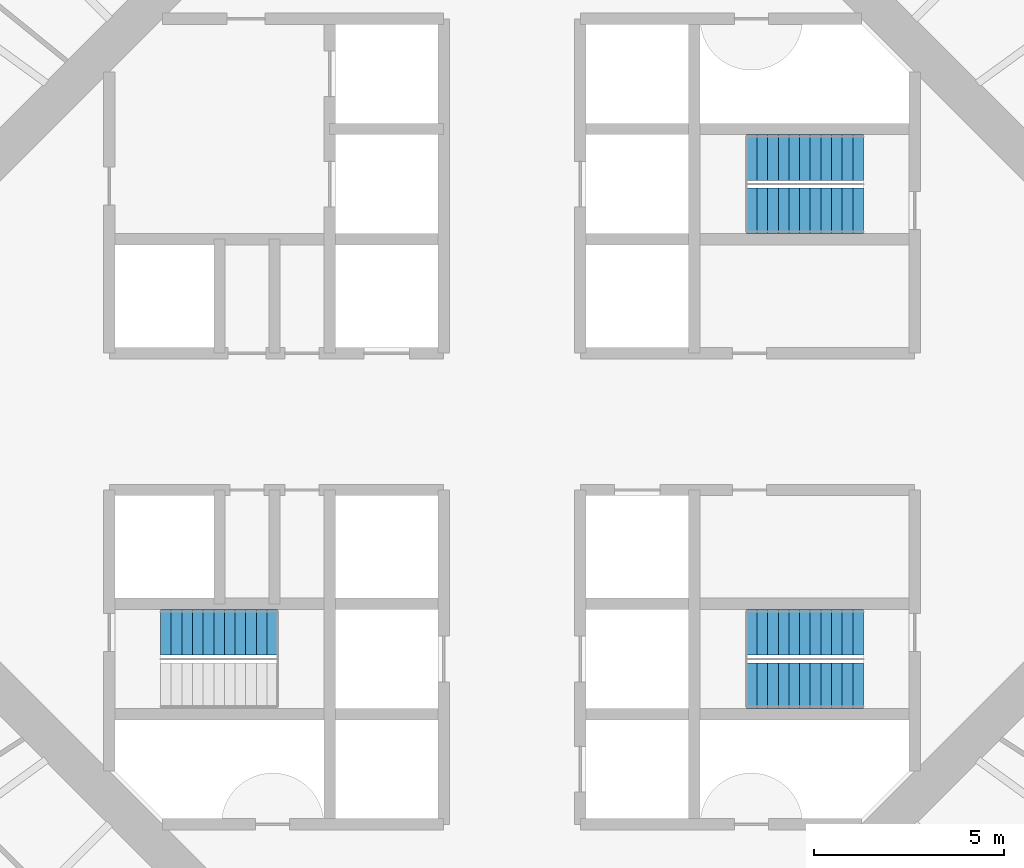
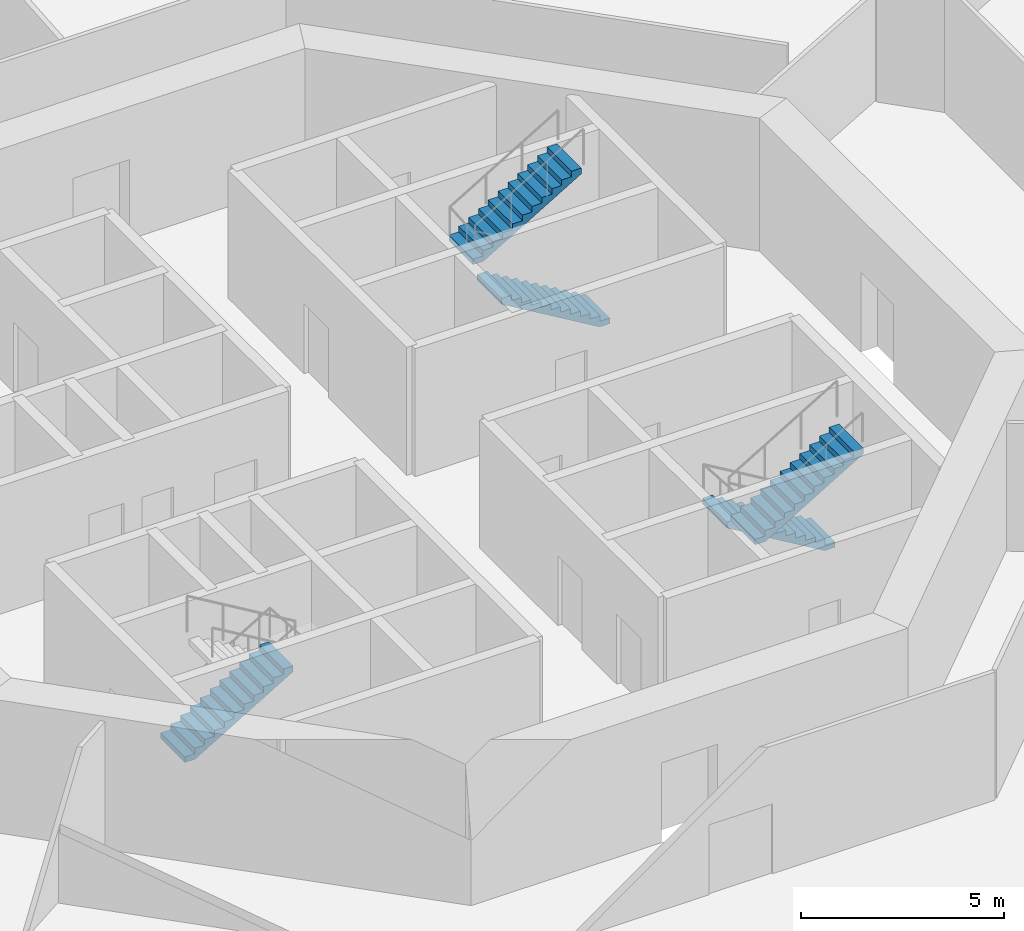
# One storey, part 6 of 13: 5 stair flights, 3 elements without a shape of their own.
"""IFC4 building model written with IfcOpenShell, lengths in metres."""

from ifc_helpers import new_model, si_unit, direction, frame, origin, place, context, subcontext, project, spatial, polyline, outline, extrude, material, type_object, element, aggregate, save


model = new_model("IFC4")

# Units and contexts
model_context = context("Model", 3, precision=1e-05, world=origin(), true_north=direction((0.0, 1.0)))
body_context = subcontext(model_context, "Body", "Model", "MODEL_VIEW")
ifc_project = project(units=[si_unit("LENGTHUNIT", "METRE"), si_unit("AREAUNIT", "SQUARE_METRE"), si_unit("VOLUMEUNIT", "CUBIC_METRE"), si_unit("PLANEANGLEUNIT", "RADIAN"), si_unit("MASSUNIT", "GRAM", prefix="KILO")], contexts=[model_context])

# Site, building, storey
site_placement = place(None, origin())
site = spatial("IfcSite", under=ifc_project, at=site_placement, CompositionType="ELEMENT")
building_placement = place(site_placement, origin())
building = spatial("IfcBuilding", under=site, at=building_placement, Name="Entoto Ring Tower", CompositionType="ELEMENT")
storey_placement = place(building_placement, frame((0.0, 0.0, 164.0)))
storey = spatial("IfcBuildingStorey", under=building, at=storey_placement, Name="L37", CompositionType="ELEMENT", Elevation=164.0)

# Stair, stair flights
ifc_material_1 = material(Name="Concrete C40/50", Category="concrete")
stair_type = type_object("IfcStairType", Name="Exit stair 1200 mm dog-leg reinforced concrete", PredefinedType="HALF_TURN_STAIR", material=ifc_material_1)
stair_1_placement = place(storey_placement, origin())
stair_1 = element("IfcStair", 1, at=stair_1_placement, inside=storey, type_object=stair_type, Name="Exit stair 1", PredefinedType="HALF_TURN_STAIR")
ifc_material_2 = material(Name="Concrete C40/50", Category="concrete")
stair_flight_type = type_object("IfcStairFlightType", Name="Stair flight 1200 mm reinforced concrete", PredefinedType="STRAIGHT", material=ifc_material_2)
stair_flight_1_placement = place(storey_placement, frame((99.25, 85.550048828125, 0.0), z_axis=(0.0, 0.0, 1.0), x_axis=(-1.0, 0.0, 0.0)))
stair_flight_1 = element("IfcStairFlight", 2, at=stair_flight_1_placement, type_object=stair_flight_type, Name="ST1 flight 1", NumberOfRisers=12, NumberOfTreads=11, PredefinedType="STRAIGHT", RiserHeight=0.166666667, TreadLength=0.28, context=body_context, shape_type="SweptSolid", body=[
    extrude(outline(polyline([(0.0, 0.0), (0.0, 0.166748046875), (0.280029296875, 0.166748046875), (0.280029296875, 0.333251953125), (0.56005859375, 0.333251953125), (0.56005859375, 0.5), (0.840087890625, 0.5), (0.840087890625, 0.666748046875), (1.1201171875, 0.666748046875), (1.1201171875, 0.833251953125), (1.39990234375, 0.833251953125), (1.39990234375, 1.0), (1.679931640625, 1.0), (1.679931640625, 1.166748046875), (1.9599609375, 1.166748046875), (1.9599609375, 1.333251953125), (2.239990234375, 1.333251953125), (2.239990234375, 1.5), (2.52001953125, 1.5), (2.52001953125, 1.666748046875), (2.800048828125, 1.666748046875), (2.800048828125, 1.833251953125), (3.080078125, 1.833251953125), (3.080078125, 2.0), (3.080078125, 1.658935546875), (0.29296875, 0.0), (0.0, 0.0)])), frame((0.0, 0.60009765625, 0.0), z_axis=(0.0, -1.0, 0.0), x_axis=(1.0, 0.0, 0.0)), (0.0, 0.0, 1.0), 1.199951171875),
])
stair_flight_2_placement = place(storey_placement, frame((96.169921875, 86.949951171875, 2.0), z_axis=(0.0, 0.0, 1.0), x_axis=(1.0, 0.0, 0.0)))
stair_flight_2 = element("IfcStairFlight", 3, at=stair_flight_2_placement, type_object=stair_flight_type, Name="ST1 flight 2", NumberOfRisers=12, NumberOfTreads=11, PredefinedType="STRAIGHT", RiserHeight=0.166666667, TreadLength=0.28, context=body_context, shape_type="SweptSolid", body=[
    extrude(outline(polyline([(0.0, 0.0), (0.0, 0.166748046875), (0.280029296875, 0.166748046875), (0.280029296875, 0.333251953125), (0.56005859375, 0.333251953125), (0.56005859375, 0.5), (0.840087890625, 0.5), (0.840087890625, 0.666748046875), (1.1201171875, 0.666748046875), (1.1201171875, 0.833251953125), (1.39990234375, 0.833251953125), (1.39990234375, 1.0), (1.679931640625, 1.0), (1.679931640625, 1.166748046875), (1.9599609375, 1.166748046875), (1.9599609375, 1.333251953125), (2.239990234375, 1.333251953125), (2.239990234375, 1.5), (2.52001953125, 1.5), (2.52001953125, 1.666748046875), (2.800048828125, 1.666748046875), (2.800048828125, 1.833251953125), (3.080078125, 1.833251953125), (3.080078125, 2.0), (3.080078125, 1.658935546875), (0.29296875, 0.0), (0.0, 0.0)])), frame((0.0, 0.60009765625, 0.0), z_axis=(0.0, -1.0, 0.0), x_axis=(1.0, 0.0, 0.0)), (0.0, 0.0, 1.0), 1.199951171875),
])
aggregate(stair_1, [stair_flight_1, stair_flight_2])

# Stair, stair flight
stair_2_placement = place(storey_placement, origin())
stair_2 = element("IfcStair", 4, at=stair_2_placement, inside=storey, type_object=stair_type, Name="Exit stair 2", PredefinedType="HALF_TURN_STAIR")
stair_flight_3_placement = place(storey_placement, frame((80.75, 74.449951171875, 0.0), z_axis=(0.0, 0.0, 1.0), x_axis=(1.0, 0.0, 0.0)))
stair_flight_3 = element("IfcStairFlight", 5, at=stair_flight_3_placement, type_object=stair_flight_type, Name="ST2 flight 1", NumberOfRisers=12, NumberOfTreads=11, PredefinedType="STRAIGHT", RiserHeight=0.166666667, TreadLength=0.28, context=body_context, shape_type="SweptSolid", body=[
    extrude(outline(polyline([(0.0, 0.0), (0.0, 0.166748046875), (0.280029296875, 0.166748046875), (0.280029296875, 0.333251953125), (0.56005859375, 0.333251953125), (0.56005859375, 0.5), (0.840087890625, 0.5), (0.840087890625, 0.666748046875), (1.1201171875, 0.666748046875), (1.1201171875, 0.833251953125), (1.39990234375, 0.833251953125), (1.39990234375, 1.0), (1.679931640625, 1.0), (1.679931640625, 1.166748046875), (1.9599609375, 1.166748046875), (1.9599609375, 1.333251953125), (2.239990234375, 1.333251953125), (2.239990234375, 1.5), (2.52001953125, 1.5), (2.52001953125, 1.666748046875), (2.800048828125, 1.666748046875), (2.800048828125, 1.833251953125), (3.080078125, 1.833251953125), (3.080078125, 2.0), (3.080078125, 1.658935546875), (0.29296875, 0.0), (0.0, 0.0)])), frame((0.0, 0.60009765625, 0.0), z_axis=(0.0, -1.0, 0.0), x_axis=(1.0, 0.0, 0.0)), (0.0, 0.0, 1.0), 1.199951171875),
])
aggregate(stair_2, [stair_flight_3])

# Stair, stair flights
stair_3_placement = place(storey_placement, origin())
stair_3 = element("IfcStair", 6, at=stair_3_placement, inside=storey, type_object=stair_type, Name="Exit stair 3", PredefinedType="HALF_TURN_STAIR")
stair_flight_4_placement = place(storey_placement, frame((99.25, 74.449951171875, 0.0), z_axis=(0.0, 0.0, 1.0), x_axis=(-1.0, 0.0, 0.0)))
stair_flight_4 = element("IfcStairFlight", 7, at=stair_flight_4_placement, type_object=stair_flight_type, Name="ST3 flight 1", NumberOfRisers=12, NumberOfTreads=11, PredefinedType="STRAIGHT", RiserHeight=0.166666667, TreadLength=0.28, context=body_context, shape_type="SweptSolid", body=[
    extrude(outline(polyline([(0.0, 0.0), (0.0, 0.166748046875), (0.280029296875, 0.166748046875), (0.280029296875, 0.333251953125), (0.56005859375, 0.333251953125), (0.56005859375, 0.5), (0.840087890625, 0.5), (0.840087890625, 0.666748046875), (1.1201171875, 0.666748046875), (1.1201171875, 0.833251953125), (1.39990234375, 0.833251953125), (1.39990234375, 1.0), (1.679931640625, 1.0), (1.679931640625, 1.166748046875), (1.9599609375, 1.166748046875), (1.9599609375, 1.333251953125), (2.239990234375, 1.333251953125), (2.239990234375, 1.5), (2.52001953125, 1.5), (2.52001953125, 1.666748046875), (2.800048828125, 1.666748046875), (2.800048828125, 1.833251953125), (3.080078125, 1.833251953125), (3.080078125, 2.0), (3.080078125, 1.658935546875), (0.29296875, 0.0), (0.0, 0.0)])), frame((0.0, 0.60009765625, 0.0), z_axis=(0.0, -1.0, 0.0), x_axis=(1.0, 0.0, 0.0)), (0.0, 0.0, 1.0), 1.199951171875),
])
stair_flight_5_placement = place(storey_placement, frame((96.169921875, 73.050048828125, 2.0), z_axis=(0.0, 0.0, 1.0), x_axis=(1.0, 0.0, 0.0)))
stair_flight_5 = element("IfcStairFlight", 8, at=stair_flight_5_placement, type_object=stair_flight_type, Name="ST3 flight 2", NumberOfRisers=12, NumberOfTreads=11, PredefinedType="STRAIGHT", RiserHeight=0.166666667, TreadLength=0.28, context=body_context, shape_type="SweptSolid", body=[
    extrude(outline(polyline([(0.0, 0.0), (0.0, 0.166748046875), (0.280029296875, 0.166748046875), (0.280029296875, 0.333251953125), (0.56005859375, 0.333251953125), (0.56005859375, 0.5), (0.840087890625, 0.5), (0.840087890625, 0.666748046875), (1.1201171875, 0.666748046875), (1.1201171875, 0.833251953125), (1.39990234375, 0.833251953125), (1.39990234375, 1.0), (1.679931640625, 1.0), (1.679931640625, 1.166748046875), (1.9599609375, 1.166748046875), (1.9599609375, 1.333251953125), (2.239990234375, 1.333251953125), (2.239990234375, 1.5), (2.52001953125, 1.5), (2.52001953125, 1.666748046875), (2.800048828125, 1.666748046875), (2.800048828125, 1.833251953125), (3.080078125, 1.833251953125), (3.080078125, 2.0), (3.080078125, 1.658935546875), (0.29296875, 0.0), (0.0, 0.0)])), frame((0.0, 0.60009765625, 0.0), z_axis=(0.0, -1.0, 0.0), x_axis=(1.0, 0.0, 0.0)), (0.0, 0.0, 1.0), 1.199951171875),
])
aggregate(stair_3, [stair_flight_4, stair_flight_5])

save(model, "model.ifc")
